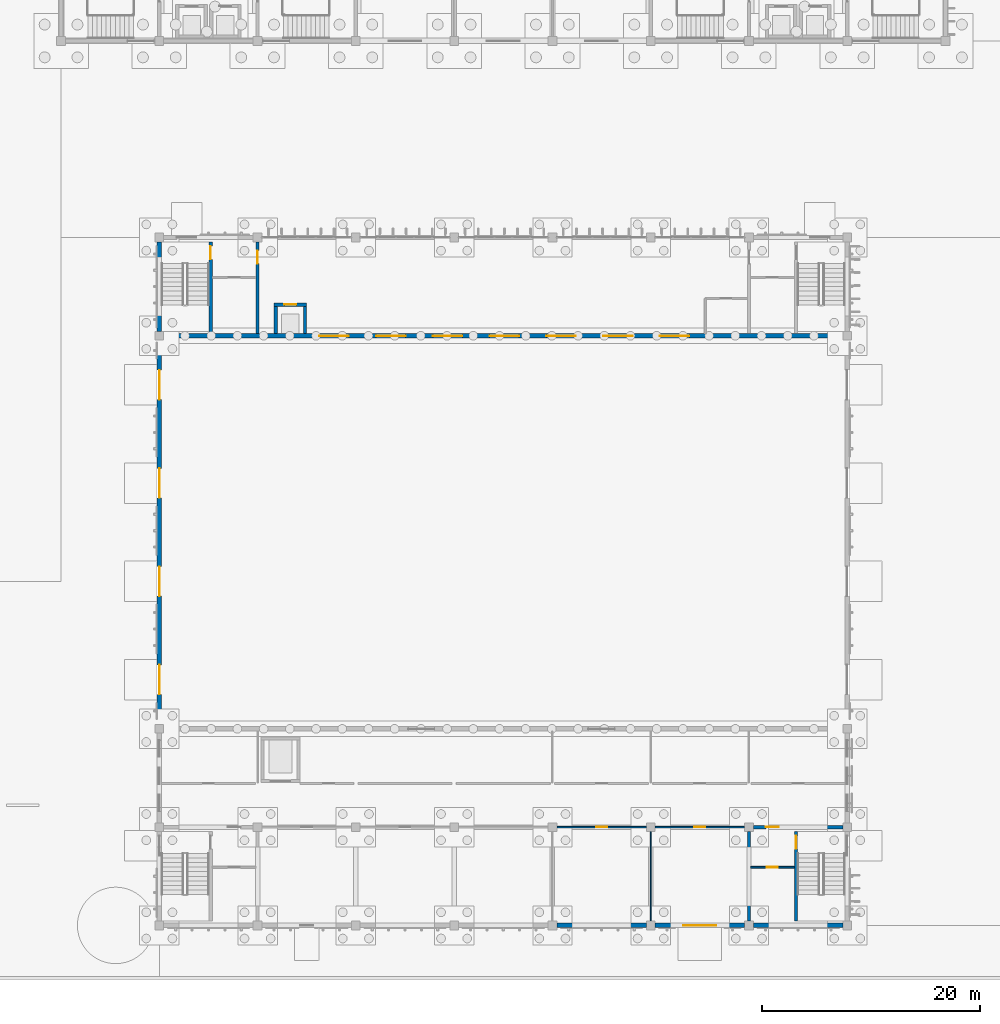
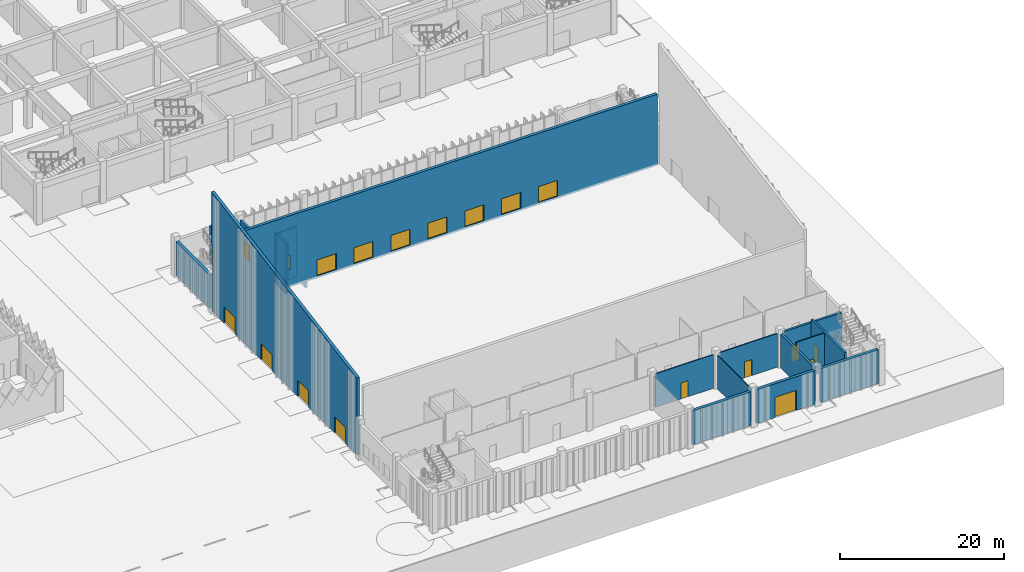
# One storey, part 99 of 198: 20 doors, 18 walls, 20 openings.
"""IFC4 building model written with IfcOpenShell, lengths in metres."""

from ifc_helpers import new_model, si_unit, direction, frame, frame_2d, origin, place, context, subcontext, project, spatial, polyline, rectangle, outline, extrude, material, layer, layer_set, type_object, element, fill, save


model = new_model("IFC4")

# Units and contexts
model_context = context("Model", 3, precision=1e-05, world=origin(), true_north=direction((0.0, 1.0)))
body_context = subcontext(model_context, "Body", "Model", "MODEL_VIEW")
ifc_project = project(units=[si_unit("LENGTHUNIT", "METRE"), si_unit("AREAUNIT", "SQUARE_METRE"), si_unit("VOLUMEUNIT", "CUBIC_METRE"), si_unit("PLANEANGLEUNIT", "RADIAN"), si_unit("MASSUNIT", "GRAM", prefix="KILO")], contexts=[model_context])

# Site, building, storey
site_placement = place(None, origin())
site = spatial("IfcSite", under=ifc_project, at=site_placement, CompositionType="ELEMENT")
building_placement = place(site_placement, origin())
building = spatial("IfcBuilding", under=site, at=building_placement, Name="Opaline Strait Convention Centre", CompositionType="ELEMENT")
storey_placement = place(building_placement, origin())
storey = spatial("IfcBuildingStorey", under=building, at=storey_placement, Name="L00", CompositionType="ELEMENT", Elevation=0.0)

# Wall, opening, door
ifc_material_1 = material(Name="Concrete C40", Category="concrete")
ifc_layer_1 = layer(ifc_material_1, 0.300048828125)
ifc_layer_set_1 = layer_set([ifc_layer_1], Name="Concrete C40")
wall_type_1 = type_object("IfcWallType", Name="Core enclosure wall 300 C40", PredefinedType="STANDARD", material=ifc_layer_set_1)
wall_1_placement = place(storey_placement, frame((346.300048828125, 9.39990234375, 0.0), z_axis=(0.0, 0.0, 1.0), x_axis=(0.0, 1.0, 0.0)))
wall_1 = element("IfcWall", 1, at=wall_1_placement, inside=storey, type_object=wall_type_1, Name="Stair enclosure wall L00 SE", PredefinedType="STANDARD", context=body_context, shape_type="SweptSolid", body=[
    extrude(rectangle(XDim=8.2001953125, YDim=0.300048828125, at=frame_2d((4.10009765625, 0.0))), origin(), (0.0, 0.0, 1.0), 5.719970703125),
])
opening_1_placement = place(wall_1_placement, frame((6.60009765625, 0.0, 0.0)))
opening_1 = element("IfcOpeningElement", 2, at=opening_1_placement, cuts=wall_1, Name="Opening B0-018", PredefinedType="OPENING", context=body_context, shape_type="SweptSolid", body=[
    extrude(rectangle(XDim=1.199951171875, YDim=2.39990234375, at=frame_2d((0.60009765625, 1.199951171875))), frame((0.0, 0.159912109375, 0.0), z_axis=(0.0, -1.0, 0.0), x_axis=(1.0, 0.0, 0.0)), (0.0, 0.0, 1.0), 0.320068359375),
])
ifc_material_2 = material(Name="Steel Q235B", Category="steel")
door_type_1 = type_object("IfcDoorType", Name="Single fire door FD60 1200 x 2400", OperationType="SINGLE_SWING_LEFT", PredefinedType="DOOR", material=ifc_material_2)
door_1_placement = place(opening_1_placement, origin())
door_1 = element("IfcDoor", 3, at=door_1_placement, inside=storey, type_object=door_type_1, Name="Stair door L00 SE", ObjectType="BD5", OperationType="SINGLE_SWING_LEFT", OverallHeight=2.39990234375, OverallWidth=1.199951171875, PredefinedType="DOOR", context=body_context, shape_type="SweptSolid", body=[
    extrude(rectangle(XDim=1.199951171875, YDim=2.39990234375, at=frame_2d((0.60009765625, 1.199951171875))), frame((0.0, 0.02490234375, 0.0), z_axis=(0.0, -1.0, 0.0), x_axis=(1.0, 0.0, 0.0)), (0.0, 0.0, 1.0), 0.050048828125),
])
fill(opening_1, door_1)

# Wall
wall_2_placement = place(storey_placement, frame((342.0, 9.39990234375, 0.0), z_axis=(0.0, 0.0, 1.0), x_axis=(0.0, 1.0, 0.0)))
element("IfcWall", 4, at=wall_2_placement, inside=storey, type_object=wall_type_1, Name="Core wall L00 SE", PredefinedType="STANDARD", context=body_context, shape_type="SweptSolid", body=[
    extrude(rectangle(XDim=8.2001953125, YDim=0.300048828125, at=frame_2d((4.10009765625, 0.0))), origin(), (0.0, 0.0, 1.0), 5.02001953125),
])

# Wall, opening, door
wall_3_placement = place(storey_placement, frame((342.39990234375, 18.0, 0.0), z_axis=(0.0, 0.0, 1.0), x_axis=(1.0, 0.0, 0.0)))
wall_3 = element("IfcWall", 5, at=wall_3_placement, inside=storey, type_object=wall_type_1, Name="Core north wall L00 SE", PredefinedType="STANDARD", context=body_context, shape_type="SweptSolid", body=[
    extrude(rectangle(XDim=8.2001953125, YDim=0.300048828125, at=frame_2d((4.10009765625, 0.0))), origin(), (0.0, 0.0, 1.0), 5.02001953125),
])
opening_2_placement = place(wall_3_placement, frame((1.14990234375, 0.0, 0.0)))
opening_2 = element("IfcOpeningElement", 6, at=opening_2_placement, cuts=wall_3, Name="Opening B0-019", PredefinedType="OPENING", context=body_context, shape_type="SweptSolid", body=[
    extrude(rectangle(XDim=1.199951171875, YDim=2.39990234375, at=frame_2d((0.60009765625, 1.199951171875))), frame((0.0, 0.159912109375, 0.0), z_axis=(0.0, -1.0, 0.0), x_axis=(1.0, 0.0, 0.0)), (0.0, 0.0, 1.0), 0.320068359375),
])
door_2_placement = place(opening_2_placement, origin())
door_2 = element("IfcDoor", 7, at=door_2_placement, inside=storey, type_object=door_type_1, Name="Stair lobby door L00 SE", ObjectType="BD5", OperationType="SINGLE_SWING_RIGHT", OverallHeight=2.39990234375, OverallWidth=1.199951171875, PredefinedType="DOOR", context=body_context, shape_type="SweptSolid", body=[
    extrude(rectangle(XDim=1.199951171875, YDim=2.39990234375, at=frame_2d((0.60009765625, 1.199951171875))), frame((0.0, 0.02490234375, 0.0), z_axis=(0.0, -1.0, 0.0), x_axis=(1.0, 0.0, 0.0)), (0.0, 0.0, 1.0), 0.050048828125),
])
fill(opening_2, door_2)

wall_4_placement = place(storey_placement, frame((292.699951171875, 63.199951171875, 0.0), z_axis=(0.0, 0.0, 1.0), x_axis=(0.0, 1.0, 0.0)))
wall_4 = element("IfcWall", 8, at=wall_4_placement, inside=storey, type_object=wall_type_1, Name="Stair enclosure wall L00 NW", PredefinedType="STANDARD", context=body_context, shape_type="SweptSolid", body=[
    extrude(rectangle(XDim=8.400146484375, YDim=0.300048828125, at=frame_2d((4.2001953125, 0.0))), origin(), (0.0, 0.0, 1.0), 5.719970703125),
])
opening_3_placement = place(wall_4_placement, frame((6.800048828125, 0.0, 0.0)))
opening_3 = element("IfcOpeningElement", 9, at=opening_3_placement, cuts=wall_4, Name="Opening B0-021", PredefinedType="OPENING", context=body_context, shape_type="SweptSolid", body=[
    extrude(rectangle(XDim=1.199951171875, YDim=2.39990234375, at=frame_2d((0.60009765625, 1.199951171875))), frame((0.0, 0.159912109375, 0.0), z_axis=(0.0, -1.0, 0.0), x_axis=(1.0, 0.0, 0.0)), (0.0, 0.0, 1.0), 0.320068359375),
])
door_3_placement = place(opening_3_placement, frame((1.199951171875, 0.0, 0.0), z_axis=(0.0, 0.0, 1.0), x_axis=(-1.0, 0.0, 0.0)))
door_3 = element("IfcDoor", 10, at=door_3_placement, inside=storey, type_object=door_type_1, Name="Stair door L00 NW", ObjectType="BD5", OperationType="SINGLE_SWING_RIGHT", OverallHeight=2.39990234375, OverallWidth=1.199951171875, PredefinedType="DOOR", context=body_context, shape_type="SweptSolid", body=[
    extrude(rectangle(XDim=1.199951171875, YDim=2.39990234375, at=frame_2d((0.60009765625, 1.199951171875))), frame((0.0, 0.02490234375, 0.0), z_axis=(0.0, -1.0, 0.0), x_axis=(1.0, 0.0, 0.0)), (0.0, 0.0, 1.0), 0.050048828125),
])
fill(opening_3, door_3)

wall_5_placement = place(storey_placement, frame((297.0, 63.199951171875, 0.0), z_axis=(0.0, 0.0, 1.0), x_axis=(0.0, 1.0, 0.0)))
wall_5 = element("IfcWall", 11, at=wall_5_placement, inside=storey, type_object=wall_type_1, Name="Core wall L00 NW", PredefinedType="STANDARD", context=body_context, shape_type="SweptSolid", body=[
    extrude(rectangle(XDim=8.400146484375, YDim=0.300048828125, at=frame_2d((4.2001953125, 0.0))), origin(), (0.0, 0.0, 1.0), 5.02001953125),
])
opening_4_placement = place(wall_5_placement, frame((6.39990234375, 0.0, 0.0)))
opening_4 = element("IfcOpeningElement", 12, at=opening_4_placement, cuts=wall_5, Name="Opening B0-022", PredefinedType="OPENING", context=body_context, shape_type="SweptSolid", body=[
    extrude(rectangle(XDim=1.199951171875, YDim=2.39990234375, at=frame_2d((0.60009765625, 1.199951171875))), frame((0.0, 0.159912109375, 0.0), z_axis=(0.0, -1.0, 0.0), x_axis=(1.0, 0.0, 0.0)), (0.0, 0.0, 1.0), 0.320068359375),
])
door_4_placement = place(opening_4_placement, frame((1.199951171875, 0.0, 0.0), z_axis=(0.0, 0.0, 1.0), x_axis=(-1.0, 0.0, 0.0)))
door_4 = element("IfcDoor", 13, at=door_4_placement, inside=storey, type_object=door_type_1, Name="Stair lobby door L00 NW", ObjectType="BD5", OperationType="SINGLE_SWING_RIGHT", OverallHeight=2.39990234375, OverallWidth=1.199951171875, PredefinedType="DOOR", context=body_context, shape_type="SweptSolid", body=[
    extrude(rectangle(XDim=1.199951171875, YDim=2.39990234375, at=frame_2d((0.60009765625, 1.199951171875))), frame((0.0, 0.02490234375, 0.0), z_axis=(0.0, -1.0, 0.0), x_axis=(1.0, 0.0, 0.0)), (0.0, 0.0, 1.0), 0.050048828125),
])
fill(opening_4, door_4)

ifc_material_3 = material(Name="Gypsum board and steel stud partition", Category="steel")
ifc_layer_2 = layer(ifc_material_3, 0.14990234375)
ifc_layer_set_2 = layer_set([ifc_layer_2], Name="Gypsum board and steel stud partition")
wall_type_2 = type_object("IfcWallType", Name="Corridor partition 150 EI 60", PredefinedType="PARTITIONING", material=ifc_layer_set_2)
wall_6_placement = place(storey_placement, frame((342.14990234375, 14.324951171875, 0.0), z_axis=(0.0, 0.0, 1.0), x_axis=(1.0, 0.0, 0.0)))
wall_6 = element("IfcWall", 14, at=wall_6_placement, inside=storey, type_object=wall_type_2, Name="Lobby partition L00 SE", PredefinedType="PARTITIONING", context=body_context, shape_type="SweptSolid", body=[
    extrude(rectangle(XDim=4.0, YDim=0.14990234375, at=frame_2d((2.0, 0.0))), origin(), (0.0, 0.0, 1.0), 5.719970703125),
])
opening_5_placement = place(wall_6_placement, frame((1.5, 0.0, 0.0)))
opening_5 = element("IfcOpeningElement", 15, at=opening_5_placement, cuts=wall_6, Name="Opening B0-020", PredefinedType="OPENING", context=body_context, shape_type="SweptSolid", body=[
    extrude(rectangle(XDim=1.0, YDim=2.39990234375, at=frame_2d((0.5, 1.199951171875))), frame((0.0, 0.0849609375, 0.0), z_axis=(0.0, -1.0, 0.0), x_axis=(1.0, 0.0, 0.0)), (0.0, 0.0, 1.0), 0.169921875),
])
ifc_material_4 = material(Name="Solid timber door leaf", Category="wood")
door_type_2 = type_object("IfcDoorType", Name="Single room door 1000 x 2400", OperationType="SINGLE_SWING_LEFT", PredefinedType="DOOR", material=ifc_material_4)
door_5_placement = place(opening_5_placement, origin())
door_5 = element("IfcDoor", 16, at=door_5_placement, inside=storey, type_object=door_type_2, Name="Accessible WC door L00", ObjectType="BD3", OperationType="SINGLE_SWING_RIGHT", OverallHeight=2.39990234375, OverallWidth=1.0, PredefinedType="DOOR", context=body_context, shape_type="SweptSolid", body=[
    extrude(rectangle(XDim=1.0, YDim=2.39990234375, at=frame_2d((0.5, 1.199951171875))), frame((0.0, 0.02490234375, 0.0), z_axis=(0.0, -1.0, 0.0), x_axis=(1.0, 0.0, 0.0)), (0.0, 0.0, 1.0), 0.050048828125),
])
fill(opening_5, door_5)

wall_7_placement = place(storey_placement, frame((324.39990234375, 18.0, 0.0), z_axis=(0.0, 0.0, 1.0), x_axis=(1.0, 0.0, 0.0)))
wall_7 = element("IfcWall", 17, at=wall_7_placement, inside=storey, type_object=wall_type_2, Name="Corridor wall L00 y18 bay 4", PredefinedType="PARTITIONING", context=body_context, shape_type="SweptSolid", body=[
    extrude(rectangle(XDim=8.2001953125, YDim=0.14990234375, at=frame_2d((4.10009765625, 0.0))), origin(), (0.0, 0.0, 1.0), 5.02001953125),
])
opening_6_placement = place(wall_7_placement, frame((3.60009765625, 0.0, 0.0)))
opening_6 = element("IfcOpeningElement", 18, at=opening_6_placement, cuts=wall_7, Name="Opening B0-029", PredefinedType="OPENING", context=body_context, shape_type="SweptSolid", body=[
    extrude(rectangle(XDim=1.0, YDim=2.39990234375, at=frame_2d((0.5, 1.199951171875))), frame((0.0, 0.0849609375, 0.0), z_axis=(0.0, -1.0, 0.0), x_axis=(1.0, 0.0, 0.0)), (0.0, 0.0, 1.0), 0.169921875),
])
door_type_3 = type_object("IfcDoorType", Name="Single fire door FD30 1000 x 2400", OperationType="SINGLE_SWING_LEFT", PredefinedType="DOOR", material=ifc_material_2)
door_6_placement = place(opening_6_placement, origin())
door_6 = element("IfcDoor", 19, at=door_6_placement, inside=storey, type_object=door_type_3, Name="Room door L00 y18 4", ObjectType="BD2", OperationType="SINGLE_SWING_LEFT", OverallHeight=2.39990234375, OverallWidth=1.0, PredefinedType="DOOR", context=body_context, shape_type="SweptSolid", body=[
    extrude(rectangle(XDim=1.0, YDim=2.39990234375, at=frame_2d((0.5, 1.199951171875))), frame((0.0, 0.02490234375, 0.0), z_axis=(0.0, -1.0, 0.0), x_axis=(1.0, 0.0, 0.0)), (0.0, 0.0, 1.0), 0.050048828125),
])
fill(opening_6, door_6)

wall_8_placement = place(storey_placement, frame((333.39990234375, 18.0, 0.0), z_axis=(0.0, 0.0, 1.0), x_axis=(1.0, 0.0, 0.0)))
wall_8 = element("IfcWall", 20, at=wall_8_placement, inside=storey, type_object=wall_type_2, Name="Corridor wall L00 y18 bay 5", PredefinedType="PARTITIONING", context=body_context, shape_type="SweptSolid", body=[
    extrude(rectangle(XDim=8.2001953125, YDim=0.14990234375, at=frame_2d((4.10009765625, 0.0))), origin(), (0.0, 0.0, 1.0), 5.02001953125),
])
opening_7_placement = place(wall_8_placement, frame((3.60009765625, 0.0, 0.0)))
opening_7 = element("IfcOpeningElement", 21, at=opening_7_placement, cuts=wall_8, Name="Opening B0-030", PredefinedType="OPENING", context=body_context, shape_type="SweptSolid", body=[
    extrude(rectangle(XDim=1.0, YDim=2.39990234375, at=frame_2d((0.5, 1.199951171875))), frame((0.0, 0.0849609375, 0.0), z_axis=(0.0, -1.0, 0.0), x_axis=(1.0, 0.0, 0.0)), (0.0, 0.0, 1.0), 0.169921875),
])
door_7_placement = place(opening_7_placement, origin())
door_7 = element("IfcDoor", 22, at=door_7_placement, inside=storey, type_object=door_type_3, Name="Room door L00 y18 5", ObjectType="BD2", OperationType="SINGLE_SWING_LEFT", OverallHeight=2.39990234375, OverallWidth=1.0, PredefinedType="DOOR", context=body_context, shape_type="SweptSolid", body=[
    extrude(rectangle(XDim=1.0, YDim=2.39990234375, at=frame_2d((0.5, 1.199951171875))), frame((0.0, 0.02490234375, 0.0), z_axis=(0.0, -1.0, 0.0), x_axis=(1.0, 0.0, 0.0)), (0.0, 0.0, 1.0), 0.050048828125),
])
fill(opening_7, door_7)

# Wall, openings, doors
ifc_layer_3 = layer(ifc_material_1, 0.39990234375)
ifc_layer_set_3 = layer_set([ifc_layer_3], Name="Concrete C40")
wall_type_3 = type_object("IfcWallType", Name="Hall bearing wall 400 C40", PredefinedType="SHEAR", material=ifc_layer_set_3)
wall_9_placement = place(storey_placement, frame((288.39990234375, 63.0, -0.300048828125), z_axis=(0.0, 0.0, 1.0), x_axis=(1.0, 0.0, 0.0)))
wall_9 = element("IfcWall", 23, at=wall_9_placement, inside=storey, type_object=wall_type_3, Name="BW1 hall north wall", PredefinedType="SHEAR", context=body_context, shape_type="SweptSolid", body=[
    extrude(rectangle(XDim=62.2001953125, YDim=0.39990234375, at=frame_2d((31.10009765625, 0.0))), origin(), (0.0, 0.0, 1.0), 10.625),
])
opening_8_placement = place(wall_9_placement, frame((14.25, 0.0, 0.300048828125)))
opening_8 = element("IfcOpeningElement", 24, at=opening_8_placement, cuts=wall_9, Name="Opening B0-036", PredefinedType="OPENING", context=body_context, shape_type="SweptSolid", body=[
    extrude(rectangle(XDim=2.699951171875, YDim=2.39990234375, at=frame_2d((1.35009765625, 1.199951171875))), frame((0.0, 0.2099609375, 0.0), z_axis=(0.0, -1.0, 0.0), x_axis=(1.0, 0.0, 0.0)), (0.0, 0.0, 1.0), 0.419921875),
])
opening_9_placement = place(wall_9_placement, frame((19.449951171875, 0.0, 0.300048828125)))
opening_9 = element("IfcOpeningElement", 25, at=opening_9_placement, cuts=wall_9, Name="Opening B0-037", PredefinedType="OPENING", context=body_context, shape_type="SweptSolid", body=[
    extrude(rectangle(XDim=2.699951171875, YDim=2.39990234375, at=frame_2d((1.35009765625, 1.199951171875))), frame((0.0, 0.2099609375, 0.0), z_axis=(0.0, -1.0, 0.0), x_axis=(1.0, 0.0, 0.0)), (0.0, 0.0, 1.0), 0.419921875),
])
opening_10_placement = place(wall_9_placement, frame((24.64990234375, 0.0, 0.300048828125)))
opening_10 = element("IfcOpeningElement", 26, at=opening_10_placement, cuts=wall_9, Name="Opening B0-038", PredefinedType="OPENING", context=body_context, shape_type="SweptSolid", body=[
    extrude(rectangle(XDim=2.699951171875, YDim=2.39990234375, at=frame_2d((1.35009765625, 1.199951171875))), frame((0.0, 0.2099609375, 0.0), z_axis=(0.0, -1.0, 0.0), x_axis=(1.0, 0.0, 0.0)), (0.0, 0.0, 1.0), 0.419921875),
])
opening_11_placement = place(wall_9_placement, frame((29.85009765625, 0.0, 0.300048828125)))
opening_11 = element("IfcOpeningElement", 27, at=opening_11_placement, cuts=wall_9, Name="Opening B0-039", PredefinedType="OPENING", context=body_context, shape_type="SweptSolid", body=[
    extrude(rectangle(XDim=2.699951171875, YDim=2.39990234375, at=frame_2d((1.35009765625, 1.199951171875))), frame((0.0, 0.2099609375, 0.0), z_axis=(0.0, -1.0, 0.0), x_axis=(1.0, 0.0, 0.0)), (0.0, 0.0, 1.0), 0.419921875),
])
opening_12_placement = place(wall_9_placement, frame((35.050048828125, 0.0, 0.300048828125)))
opening_12 = element("IfcOpeningElement", 28, at=opening_12_placement, cuts=wall_9, Name="Opening B0-040", PredefinedType="OPENING", context=body_context, shape_type="SweptSolid", body=[
    extrude(rectangle(XDim=2.699951171875, YDim=2.39990234375, at=frame_2d((1.35009765625, 1.199951171875))), frame((0.0, 0.2099609375, 0.0), z_axis=(0.0, -1.0, 0.0), x_axis=(1.0, 0.0, 0.0)), (0.0, 0.0, 1.0), 0.419921875),
])
opening_13_placement = place(wall_9_placement, frame((40.25, 0.0, 0.300048828125)))
opening_13 = element("IfcOpeningElement", 29, at=opening_13_placement, cuts=wall_9, Name="Opening B0-041", PredefinedType="OPENING", context=body_context, shape_type="SweptSolid", body=[
    extrude(rectangle(XDim=2.699951171875, YDim=2.39990234375, at=frame_2d((1.35009765625, 1.199951171875))), frame((0.0, 0.2099609375, 0.0), z_axis=(0.0, -1.0, 0.0), x_axis=(1.0, 0.0, 0.0)), (0.0, 0.0, 1.0), 0.419921875),
])
opening_14_placement = place(wall_9_placement, frame((45.449951171875, 0.0, 0.300048828125)))
opening_14 = element("IfcOpeningElement", 30, at=opening_14_placement, cuts=wall_9, Name="Opening B0-042", PredefinedType="OPENING", context=body_context, shape_type="SweptSolid", body=[
    extrude(rectangle(XDim=2.699951171875, YDim=2.39990234375, at=frame_2d((1.35009765625, 1.199951171875))), frame((0.0, 0.2099609375, 0.0), z_axis=(0.0, -1.0, 0.0), x_axis=(1.0, 0.0, 0.0)), (0.0, 0.0, 1.0), 0.419921875),
])
door_type_4 = type_object("IfcDoorType", Name="Hall exit double door FD90 2700 x 2400", OperationType="DOUBLE_DOOR_SINGLE_SWING", PredefinedType="DOOR", material=ifc_material_2)
door_8_placement = place(opening_8_placement, origin())
door_8 = element("IfcDoor", 31, at=door_8_placement, inside=storey, type_object=door_type_4, Name="Ballroom exit door to foyer 1", ObjectType="BD8", OperationType="DOUBLE_DOOR_SINGLE_SWING", OverallHeight=2.39990234375, OverallWidth=2.699951171875, PredefinedType="DOOR", context=body_context, shape_type="SweptSolid", body=[
    extrude(rectangle(XDim=2.699951171875, YDim=2.39990234375, at=frame_2d((1.35009765625, 1.199951171875))), frame((0.0, 0.02490234375, 0.0), z_axis=(0.0, -1.0, 0.0), x_axis=(1.0, 0.0, 0.0)), (0.0, 0.0, 1.0), 0.050048828125),
])
fill(opening_8, door_8)
door_9_placement = place(opening_9_placement, origin())
door_9 = element("IfcDoor", 32, at=door_9_placement, inside=storey, type_object=door_type_4, Name="Ballroom exit door to foyer 2", ObjectType="BD8", OperationType="DOUBLE_DOOR_SINGLE_SWING", OverallHeight=2.39990234375, OverallWidth=2.699951171875, PredefinedType="DOOR", context=body_context, shape_type="SweptSolid", body=[
    extrude(rectangle(XDim=2.699951171875, YDim=2.39990234375, at=frame_2d((1.35009765625, 1.199951171875))), frame((0.0, 0.02490234375, 0.0), z_axis=(0.0, -1.0, 0.0), x_axis=(1.0, 0.0, 0.0)), (0.0, 0.0, 1.0), 0.050048828125),
])
fill(opening_9, door_9)
door_10_placement = place(opening_10_placement, origin())
door_10 = element("IfcDoor", 33, at=door_10_placement, inside=storey, type_object=door_type_4, Name="Ballroom exit door to foyer 3", ObjectType="BD8", OperationType="DOUBLE_DOOR_SINGLE_SWING", OverallHeight=2.39990234375, OverallWidth=2.699951171875, PredefinedType="DOOR", context=body_context, shape_type="SweptSolid", body=[
    extrude(rectangle(XDim=2.699951171875, YDim=2.39990234375, at=frame_2d((1.35009765625, 1.199951171875))), frame((0.0, 0.02490234375, 0.0), z_axis=(0.0, -1.0, 0.0), x_axis=(1.0, 0.0, 0.0)), (0.0, 0.0, 1.0), 0.050048828125),
])
fill(opening_10, door_10)
door_11_placement = place(opening_11_placement, origin())
door_11 = element("IfcDoor", 34, at=door_11_placement, inside=storey, type_object=door_type_4, Name="Ballroom exit door to foyer 4", ObjectType="BD8", OperationType="DOUBLE_DOOR_SINGLE_SWING", OverallHeight=2.39990234375, OverallWidth=2.699951171875, PredefinedType="DOOR", context=body_context, shape_type="SweptSolid", body=[
    extrude(rectangle(XDim=2.699951171875, YDim=2.39990234375, at=frame_2d((1.35009765625, 1.199951171875))), frame((0.0, 0.02490234375, 0.0), z_axis=(0.0, -1.0, 0.0), x_axis=(1.0, 0.0, 0.0)), (0.0, 0.0, 1.0), 0.050048828125),
])
fill(opening_11, door_11)
door_12_placement = place(opening_12_placement, origin())
door_12 = element("IfcDoor", 35, at=door_12_placement, inside=storey, type_object=door_type_4, Name="Ballroom exit door to foyer 5", ObjectType="BD8", OperationType="DOUBLE_DOOR_SINGLE_SWING", OverallHeight=2.39990234375, OverallWidth=2.699951171875, PredefinedType="DOOR", context=body_context, shape_type="SweptSolid", body=[
    extrude(rectangle(XDim=2.699951171875, YDim=2.39990234375, at=frame_2d((1.35009765625, 1.199951171875))), frame((0.0, 0.02490234375, 0.0), z_axis=(0.0, -1.0, 0.0), x_axis=(1.0, 0.0, 0.0)), (0.0, 0.0, 1.0), 0.050048828125),
])
fill(opening_12, door_12)
door_13_placement = place(opening_13_placement, origin())
door_13 = element("IfcDoor", 36, at=door_13_placement, inside=storey, type_object=door_type_4, Name="Ballroom exit door to foyer 6", ObjectType="BD8", OperationType="DOUBLE_DOOR_SINGLE_SWING", OverallHeight=2.39990234375, OverallWidth=2.699951171875, PredefinedType="DOOR", context=body_context, shape_type="SweptSolid", body=[
    extrude(rectangle(XDim=2.699951171875, YDim=2.39990234375, at=frame_2d((1.35009765625, 1.199951171875))), frame((0.0, 0.02490234375, 0.0), z_axis=(0.0, -1.0, 0.0), x_axis=(1.0, 0.0, 0.0)), (0.0, 0.0, 1.0), 0.050048828125),
])
fill(opening_13, door_13)
door_14_placement = place(opening_14_placement, origin())
door_14 = element("IfcDoor", 37, at=door_14_placement, inside=storey, type_object=door_type_4, Name="Ballroom exit door to foyer 7", ObjectType="BD8", OperationType="DOUBLE_DOOR_SINGLE_SWING", OverallHeight=2.39990234375, OverallWidth=2.699951171875, PredefinedType="DOOR", context=body_context, shape_type="SweptSolid", body=[
    extrude(rectangle(XDim=2.699951171875, YDim=2.39990234375, at=frame_2d((1.35009765625, 1.199951171875))), frame((0.0, 0.02490234375, 0.0), z_axis=(0.0, -1.0, 0.0), x_axis=(1.0, 0.0, 0.0)), (0.0, 0.0, 1.0), 0.050048828125),
])
fill(opening_14, door_14)

# Wall, opening, door
ifc_layer_4 = layer(ifc_material_1, 0.300048828125)
ifc_layer_set_4 = layer_set([ifc_layer_4], Name="Concrete C40")
wall_type_4 = type_object("IfcWallType", Name="Lift shaft wall 300 C40", PredefinedType="SHEAR", material=ifc_layer_set_4)
wall_10_placement = place(storey_placement, frame((298.5, 65.85009765625, -1.5), z_axis=(0.0, 0.0, 1.0), x_axis=(1.0, 0.0, 0.0)))
wall_10 = element("IfcWall", 38, at=wall_10_placement, inside=storey, type_object=wall_type_4, Name="Passenger Lift shaft wall L00 N", PredefinedType="SHEAR", context=body_context, shape_type="SweptSolid", body=[
    extrude(rectangle(XDim=3.0, YDim=0.300048828125, at=frame_2d((1.5, 0.0))), origin(), (0.0, 0.0, 1.0), 7.5),
])
opening_15_placement = place(wall_10_placement, frame((0.949951171875, 0.0, 1.5)))
opening_15 = element("IfcOpeningElement", 39, at=opening_15_placement, cuts=wall_10, Name="Opening B0-047", PredefinedType="OPENING", context=body_context, shape_type="SweptSolid", body=[
    extrude(rectangle(XDim=1.10009765625, YDim=2.10009765625, at=frame_2d((0.550048828125, 1.050048828125))), frame((0.0, 0.159912109375, 0.0), z_axis=(0.0, -1.0, 0.0), x_axis=(1.0, 0.0, 0.0)), (0.0, 0.0, 1.0), 0.320068359375),
])
ifc_material_5 = material(Name="Stainless steel 304", Category="steel")
door_type_5 = type_object("IfcDoorType", Name="Lift landing door passenger 1100 x 2100", OperationType="SLIDING_TO_LEFT", PredefinedType="DOOR", material=ifc_material_5)
door_15_placement = place(opening_15_placement, origin())
door_15 = element("IfcDoor", 40, at=door_15_placement, inside=storey, type_object=door_type_5, Name="Passenger Lift landing door L00", ObjectType="BLD2", OperationType="SLIDING_TO_RIGHT", OverallHeight=2.10009765625, OverallWidth=1.10009765625, PredefinedType="DOOR", context=body_context, shape_type="SweptSolid", body=[
    extrude(rectangle(XDim=1.10009765625, YDim=2.10009765625, at=frame_2d((0.550048828125, 1.050048828125))), frame((0.0, 0.02490234375, 0.0), z_axis=(0.0, -1.0, 0.0), x_axis=(1.0, 0.0, 0.0)), (0.0, 0.0, 1.0), 0.050048828125),
])
fill(opening_15, door_15)

# Walls
for number, where, z_axis, x_axis, name in (
    (41, (298.64990234375, 63.199951171875, -1.5), (0.0, 0.0, 1.0), (0.0, 1.0, 0.0), "Passenger Lift shaft wall L00 W"),
    (42, (301.35009765625, 63.199951171875, -1.5), (0.0, 0.0, 1.0), (0.0, 1.0, 0.0), "Passenger Lift shaft wall L00 E"),
):
    element("IfcWall", number, at=place(storey_placement, frame(where, z_axis=z_axis, x_axis=x_axis)), inside=storey, type_object=wall_type_4, Name=name, PredefinedType="SHEAR", context=body_context, shape_type="SweptSolid", body=[
        extrude(rectangle(XDim=2.5, YDim=0.300048828125, at=frame_2d((1.25, 0.0))), origin(), (0.0, 0.0, 1.0), 7.5),
    ])

# Wall, openings, doors
ifc_material_6 = material(Name="Concrete C40 precast", Category="concrete")
ifc_layer_5 = layer(ifc_material_6, 0.080078125)
ifc_material_7 = material(Name="Ventilated air cavity")
ifc_layer_6 = layer(ifc_material_7, 0.030029296875)
ifc_material_8 = material(Name="Mineral wool insulation")
ifc_layer_7 = layer(ifc_material_8, 0.139892578125)
ifc_material_9 = material(Name="Concrete C30", Category="concrete")
ifc_layer_8 = layer(ifc_material_9, 0.14990234375)
ifc_layer_set_5 = layer_set([ifc_layer_5, ifc_layer_6, ifc_layer_7, ifc_layer_8], Name="Concrete C40 precast, Ventilated air cavity, Mineral wool insulation, Concrete C30")
wall_type_5 = type_object("IfcWallType", Name="Precast insulated wall 400", PredefinedType="STANDARD", material=ifc_layer_set_5)
wall_11_placement = place(storey_placement, frame((288.0, 27.39990234375, 0.0), z_axis=(0.0, 0.0, 1.0), x_axis=(0.0, 1.0, 0.0)))
wall_11 = element("IfcWall", 43, at=wall_11_placement, inside=storey, type_object=wall_type_5, Name="Ballroom west wall", PredefinedType="STANDARD", context=body_context, shape_type="SweptSolid", body=[
    extrude(outline(polyline([(0.0, 0.0), (35.199951171875, 0.0), (35.199951171875, 9.75), (35.5, 9.75), (35.5, 17.707763671875), (0.0, 11.4482421875), (0.0, 0.0)])), frame((0.0, 0.199951171875, 0.0), z_axis=(0.0, -1.0, 0.0), x_axis=(1.0, 0.0, 0.0)), (0.0, 0.0, 1.0), 0.39990234375),
])
opening_16_placement = place(wall_11_placement, frame((2.75, 0.0, 0.0)))
opening_16 = element("IfcOpeningElement", 44, at=opening_16_placement, cuts=wall_11, Name="Opening B0-001", PredefinedType="OPENING", context=body_context, shape_type="SweptSolid", body=[
    extrude(rectangle(XDim=2.699951171875, YDim=2.39990234375, at=frame_2d((1.35009765625, 1.199951171875))), frame((0.0, 0.2099609375, 0.0), z_axis=(0.0, -1.0, 0.0), x_axis=(1.0, 0.0, 0.0)), (0.0, 0.0, 1.0), 0.419921875),
])
opening_17_placement = place(wall_11_placement, frame((11.75, 0.0, 0.0)))
opening_17 = element("IfcOpeningElement", 45, at=opening_17_placement, cuts=wall_11, Name="Opening B0-002", PredefinedType="OPENING", context=body_context, shape_type="SweptSolid", body=[
    extrude(rectangle(XDim=2.699951171875, YDim=2.39990234375, at=frame_2d((1.35009765625, 1.199951171875))), frame((0.0, 0.2099609375, 0.0), z_axis=(0.0, -1.0, 0.0), x_axis=(1.0, 0.0, 0.0)), (0.0, 0.0, 1.0), 0.419921875),
])
opening_18_placement = place(wall_11_placement, frame((20.75, 0.0, 0.0)))
opening_18 = element("IfcOpeningElement", 46, at=opening_18_placement, cuts=wall_11, Name="Opening B0-003", PredefinedType="OPENING", context=body_context, shape_type="SweptSolid", body=[
    extrude(rectangle(XDim=2.699951171875, YDim=2.39990234375, at=frame_2d((1.35009765625, 1.199951171875))), frame((0.0, 0.2099609375, 0.0), z_axis=(0.0, -1.0, 0.0), x_axis=(1.0, 0.0, 0.0)), (0.0, 0.0, 1.0), 0.419921875),
])
opening_19_placement = place(wall_11_placement, frame((29.75, 0.0, 0.0)))
opening_19 = element("IfcOpeningElement", 47, at=opening_19_placement, cuts=wall_11, Name="Opening B0-004", PredefinedType="OPENING", context=body_context, shape_type="SweptSolid", body=[
    extrude(rectangle(XDim=2.699951171875, YDim=2.39990234375, at=frame_2d((1.35009765625, 1.199951171875))), frame((0.0, 0.2099609375, 0.0), z_axis=(0.0, -1.0, 0.0), x_axis=(1.0, 0.0, 0.0)), (0.0, 0.0, 1.0), 0.419921875),
])
door_16_placement = place(opening_16_placement, origin())
door_16 = element("IfcDoor", 48, at=door_16_placement, inside=storey, type_object=door_type_4, Name="Ballroom exit door W1", ObjectType="BD8", OperationType="DOUBLE_DOOR_SINGLE_SWING", OverallHeight=2.39990234375, OverallWidth=2.699951171875, PredefinedType="DOOR", context=body_context, shape_type="SweptSolid", body=[
    extrude(rectangle(XDim=2.699951171875, YDim=2.39990234375, at=frame_2d((1.35009765625, 1.199951171875))), frame((0.0, 0.02490234375, 0.0), z_axis=(0.0, -1.0, 0.0), x_axis=(1.0, 0.0, 0.0)), (0.0, 0.0, 1.0), 0.050048828125),
])
fill(opening_16, door_16)
door_17_placement = place(opening_17_placement, origin())
door_17 = element("IfcDoor", 49, at=door_17_placement, inside=storey, type_object=door_type_4, Name="Ballroom exit door W2", ObjectType="BD8", OperationType="DOUBLE_DOOR_SINGLE_SWING", OverallHeight=2.39990234375, OverallWidth=2.699951171875, PredefinedType="DOOR", context=body_context, shape_type="SweptSolid", body=[
    extrude(rectangle(XDim=2.699951171875, YDim=2.39990234375, at=frame_2d((1.35009765625, 1.199951171875))), frame((0.0, 0.02490234375, 0.0), z_axis=(0.0, -1.0, 0.0), x_axis=(1.0, 0.0, 0.0)), (0.0, 0.0, 1.0), 0.050048828125),
])
fill(opening_17, door_17)
door_18_placement = place(opening_18_placement, origin())
door_18 = element("IfcDoor", 50, at=door_18_placement, inside=storey, type_object=door_type_4, Name="Ballroom exit door W3", ObjectType="BD8", OperationType="DOUBLE_DOOR_SINGLE_SWING", OverallHeight=2.39990234375, OverallWidth=2.699951171875, PredefinedType="DOOR", context=body_context, shape_type="SweptSolid", body=[
    extrude(rectangle(XDim=2.699951171875, YDim=2.39990234375, at=frame_2d((1.35009765625, 1.199951171875))), frame((0.0, 0.02490234375, 0.0), z_axis=(0.0, -1.0, 0.0), x_axis=(1.0, 0.0, 0.0)), (0.0, 0.0, 1.0), 0.050048828125),
])
fill(opening_18, door_18)
door_19_placement = place(opening_19_placement, origin())
door_19 = element("IfcDoor", 51, at=door_19_placement, inside=storey, type_object=door_type_4, Name="Ballroom exit door W4", ObjectType="BD8", OperationType="DOUBLE_DOOR_SINGLE_SWING", OverallHeight=2.39990234375, OverallWidth=2.699951171875, PredefinedType="DOOR", context=body_context, shape_type="SweptSolid", body=[
    extrude(rectangle(XDim=2.699951171875, YDim=2.39990234375, at=frame_2d((1.35009765625, 1.199951171875))), frame((0.0, 0.02490234375, 0.0), z_axis=(0.0, -1.0, 0.0), x_axis=(1.0, 0.0, 0.0)), (0.0, 0.0, 1.0), 0.050048828125),
])
fill(opening_19, door_19)

# Walls
for number, where, z_axis, x_axis, name in (
    (52, (288.0, 63.39990234375, 0.0), (0.0, 0.0, 1.0), (0.0, 1.0, 0.0), "Ballroom west wall L00 W63"),
    (53, (324.39990234375, 9.0, 0.0), (0.0, 0.0, 1.0), (1.0, 0.0, 0.0), "Ballroom south wall L00 bay 5"),
):
    element("IfcWall", number, at=place(storey_placement, frame(where, z_axis=z_axis, x_axis=x_axis)), inside=storey, type_object=wall_type_5, Name=name, PredefinedType="STANDARD", context=body_context, shape_type="SweptSolid", body=[
        extrude(rectangle(XDim=8.2001953125, YDim=0.39990234375, at=frame_2d((4.10009765625, 0.0))), origin(), (0.0, 0.0, 1.0), 5.02001953125),
    ])

# Wall, opening, door
wall_12_placement = place(storey_placement, frame((333.39990234375, 9.0, 0.0), z_axis=(0.0, 0.0, 1.0), x_axis=(1.0, 0.0, 0.0)))
wall_12 = element("IfcWall", 54, at=wall_12_placement, inside=storey, type_object=wall_type_5, Name="Ballroom south wall L00 bay 6", PredefinedType="STANDARD", context=body_context, shape_type="SweptSolid", body=[
    extrude(rectangle(XDim=8.2001953125, YDim=0.39990234375, at=frame_2d((4.10009765625, 0.0))), origin(), (0.0, 0.0, 1.0), 5.02001953125),
])
opening_20_placement = place(wall_12_placement, frame((2.60009765625, 0.0, 0.0)))
opening_20 = element("IfcOpeningElement", 55, at=opening_20_placement, cuts=wall_12, Name="Opening B0-014", PredefinedType="OPENING", context=body_context, shape_type="SweptSolid", body=[
    extrude(rectangle(XDim=3.0, YDim=3.0, at=frame_2d((1.5, 1.5))), frame((0.0, 0.2099609375, 0.0), z_axis=(0.0, -1.0, 0.0), x_axis=(1.0, 0.0, 0.0)), (0.0, 0.0, 1.0), 0.419921875),
])
door_type_6 = type_object("IfcDoorType", Name="Loading door 3000 x 3000", OperationType="SLIDING_TO_LEFT", PredefinedType="DOOR", material=ifc_material_2)
door_20_placement = place(opening_20_placement, frame((3.0, 0.0, 0.0), z_axis=(0.0, 0.0, 1.0), x_axis=(-1.0, 0.0, 0.0)))
door_20 = element("IfcDoor", 56, at=door_20_placement, inside=storey, type_object=door_type_6, Name="Banquet store loading door", ObjectType="BD11", OperationType="SLIDING_TO_LEFT", OverallHeight=3.0, OverallWidth=3.0, PredefinedType="DOOR", context=body_context, shape_type="SweptSolid", body=[
    extrude(rectangle(XDim=3.0, YDim=3.0, at=frame_2d((1.5, 1.5))), frame((0.0, 0.02490234375, 0.0), z_axis=(0.0, -1.0, 0.0), x_axis=(1.0, 0.0, 0.0)), (0.0, 0.0, 1.0), 0.050048828125),
])
fill(opening_20, door_20)

# Walls
wall_13_placement = place(storey_placement, frame((342.39990234375, 9.0, 0.0), z_axis=(0.0, 0.0, 1.0), x_axis=(1.0, 0.0, 0.0)))
element("IfcWall", 57, at=wall_13_placement, inside=storey, type_object=wall_type_5, Name="Ballroom south wall L00 bay 7", PredefinedType="STANDARD", context=body_context, shape_type="SweptSolid", body=[
    extrude(rectangle(XDim=8.2001953125, YDim=0.39990234375, at=frame_2d((4.10009765625, 0.0))), origin(), (0.0, 0.0, 1.0), 5.02001953125),
])
ifc_layer_9 = layer(ifc_material_3, 0.10009765625)
ifc_layer_set_6 = layer_set([ifc_layer_9], Name="Gypsum board and steel stud partition")
wall_type_6 = type_object("IfcWallType", Name="Room partition 100 EI 45", PredefinedType="PARTITIONING", material=ifc_layer_set_6)
wall_14_placement = place(storey_placement, frame((333.0, 9.39990234375, 0.0), z_axis=(0.0, 0.0, 1.0), x_axis=(0.0, 1.0, 0.0)))
element("IfcWall", 58, at=wall_14_placement, inside=storey, type_object=wall_type_6, Name="Room partition L00 x333 south", PredefinedType="PARTITIONING", context=body_context, shape_type="SweptSolid", body=[
    extrude(rectangle(XDim=8.2001953125, YDim=0.10009765625, at=frame_2d((4.10009765625, 0.0))), origin(), (0.0, 0.0, 1.0), 5.02001953125),
])

save(model, "model.ifc")
